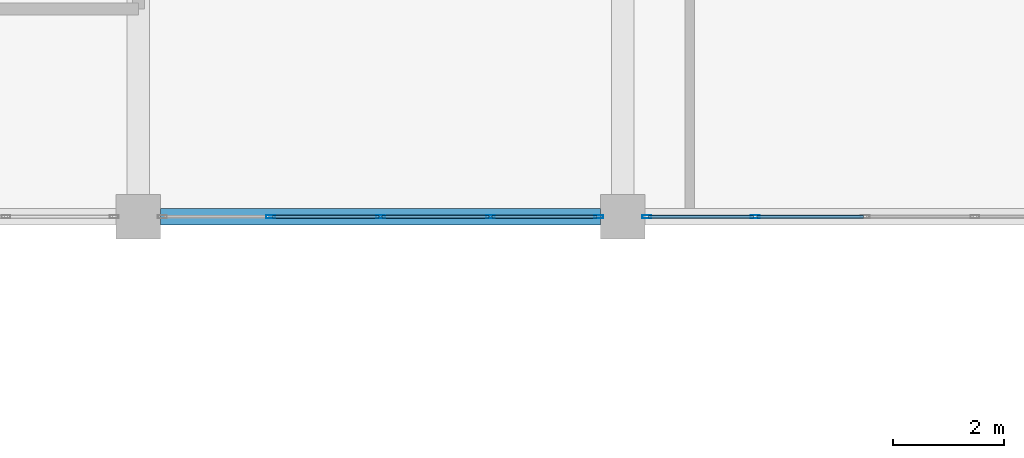
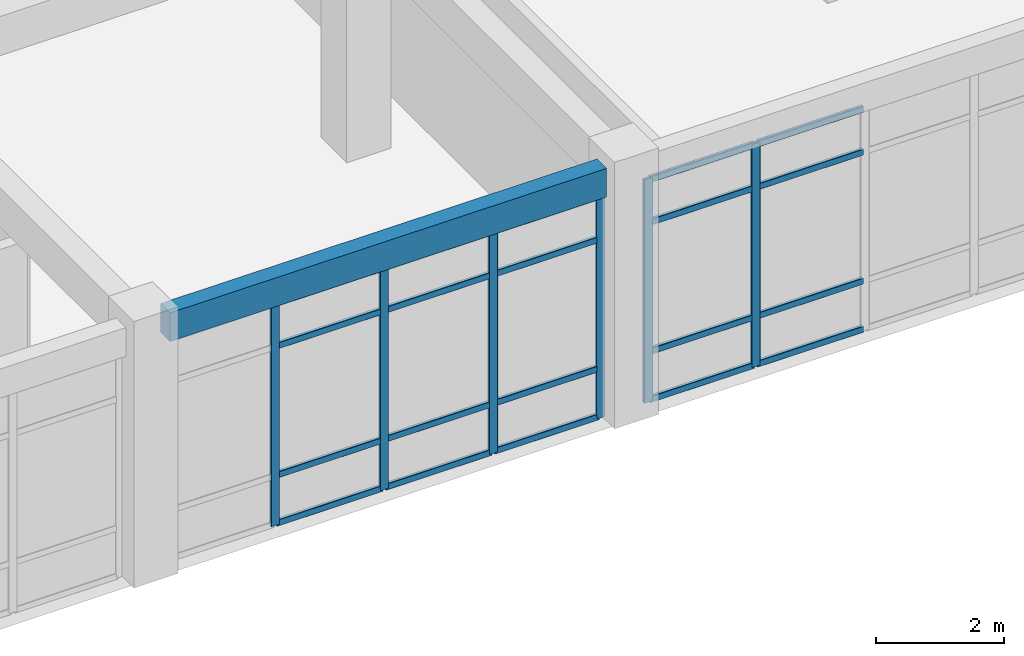
# One storey, part 53 of 96: 26 members, 1 beam, 2 elements without a shape of their own.
"""IFC4 building model written with IfcOpenShell, lengths in metres."""

from ifc_helpers import new_model, si_unit, derived_unit, direction, frame, origin, origin_2d, place, context, subcontext, project, spatial, rectangle, hollow_rectangle, extrude, material, layer, layer_set, material_profile, profile_set, type_object, element, aggregate, save


model = new_model("IFC4")

# Units and contexts
model_context = context("Model", 3, precision=1e-05, world=origin(), true_north=direction((0.0, 1.0)))
body_context = subcontext(model_context, "Body", "Model", "MODEL_VIEW")
ifc_project = project(units=[si_unit("LENGTHUNIT", "METRE"), si_unit("AREAUNIT", "SQUARE_METRE"), si_unit("VOLUMEUNIT", "CUBIC_METRE"), si_unit("PLANEANGLEUNIT", "RADIAN"), si_unit("MASSUNIT", "GRAM", prefix="KILO"), derived_unit("THERMALTRANSMITTANCEUNIT", [(si_unit("MASSUNIT", "GRAM", prefix="KILO"), 1), (si_unit("TIMEUNIT", "SECOND"), -3), (si_unit("THERMODYNAMICTEMPERATUREUNIT", "KELVIN"), -1)])], contexts=[model_context])

# Site, building, storey
site_placement = place(None, origin())
site = spatial("IfcSite", under=ifc_project, at=site_placement, CompositionType="ELEMENT")
building_placement = place(site_placement, origin())
building = spatial("IfcBuilding", under=site, at=building_placement, Name="Qinzheling Arcade Emporium", CompositionType="ELEMENT")
storey_placement = place(building_placement, frame((0.0, 0.0, 21.60009765625)))
storey = spatial("IfcBuildingStorey", under=building, at=storey_placement, Name="L05", CompositionType="ELEMENT", Elevation=21.60009765625)

# Curtain wall, members
ifc_material_1 = material(Name="Anodised aluminium and solar-control double glazing", Category="aluminium")
ifc_layer = layer(ifc_material_1, 0.159912109375, Name="Anodised aluminium and solar-control double glazing", Category="aluminium")
ifc_layer_set = layer_set([ifc_layer], Name="Anodised aluminium and solar-control double glazing")
curtain_wall_type = type_object("IfcCurtainWallType", Name="Arcade Portal Glazed Curtain Wall", PredefinedType="NOTDEFINED", material=ifc_layer_set)
curtain_wall_1_placement = place(storey_placement, origin())
curtain_wall_1 = element("IfcCurtainWall", 1, at=curtain_wall_1_placement, inside=storey, type_object=curtain_wall_type, Name="Curtain Wall CW-L05-343", PredefinedType="NOTDEFINED")
ifc_material_2 = material(Name="Anodised aluminium 6063-T6", Category="aluminium")
ifc_material_profile_1 = material_profile(ifc_material_2, hollow_rectangle(XDim=0.06005859375, YDim=0.159912109375, WallThickness=0.00390625, InnerFilletRadius=0.00390625, OuterFilletRadius=0.008056640625, at=origin_2d()), Name="RHS 160x60x4", Category="aluminium")
ifc_profile_set_1 = profile_set([ifc_material_profile_1], Name="Anodised aluminium 6063-T6")
member_type_1 = type_object("IfcMemberType", Name="Curtain Wall Mullion RHS160x60", PredefinedType="MULLION", material=ifc_profile_set_1)
member_1_placement = place(storey_placement, frame((124.176025390625, 73.800048828125, 0.0), z_axis=(0.0, 0.0, 1.0), x_axis=(0.0, -1.0, 0.0)))
member_1 = element("IfcMember", 2, at=member_1_placement, type_object=member_type_1, Name="CW05 mullion 4", PredefinedType="MULLION", context=body_context, shape_type="SweptSolid", body=[
    extrude(hollow_rectangle(XDim=0.06005859375, YDim=0.159912109375, WallThickness=0.00390625, InnerFilletRadius=0.00390625, OuterFilletRadius=0.008056640625, at=origin_2d()), origin(), (0.0, 0.0, 1.0), 4.27001953125),
])
member_2_placement = place(storey_placement, frame((122.23193359375, 73.800048828125, 0.0), z_axis=(0.0, 0.0, 1.0), x_axis=(0.0, -1.0, 0.0)))
member_2 = element("IfcMember", 3, at=member_2_placement, type_object=member_type_1, Name="CW05 mullion 5", PredefinedType="MULLION", context=body_context, shape_type="SweptSolid", body=[
    extrude(hollow_rectangle(XDim=0.06005859375, YDim=0.159912109375, WallThickness=0.00390625, InnerFilletRadius=0.00390625, OuterFilletRadius=0.008056640625, at=origin_2d()), origin(), (0.0, 0.0, 1.0), 4.27001953125),
])

curtain_wall_2_placement = place(storey_placement, origin())
curtain_wall_2 = element("IfcCurtainWall", 4, at=curtain_wall_2_placement, inside=storey, type_object=curtain_wall_type, Name="Curtain Wall CW-L05-344", PredefinedType="NOTDEFINED")
member_3_placement = place(storey_placement, frame((121.367919921875, 73.800048828125, 0.0), z_axis=(0.0, 0.0, 1.0), x_axis=(0.0, -1.0, 0.0)))
member_3 = element("IfcMember", 5, at=member_3_placement, type_object=member_type_1, Name="CW05 mullion 1", PredefinedType="MULLION", context=body_context, shape_type="SweptSolid", body=[
    extrude(hollow_rectangle(XDim=0.06005859375, YDim=0.159912109375, WallThickness=0.00390625, InnerFilletRadius=0.00390625, OuterFilletRadius=0.008056640625, at=origin_2d()), origin(), (0.0, 0.0, 1.0), 4.27001953125),
])
member_4_placement = place(storey_placement, frame((119.424072265625, 73.800048828125, 0.0), z_axis=(0.0, 0.0, 1.0), x_axis=(0.0, -1.0, 0.0)))
member_4 = element("IfcMember", 6, at=member_4_placement, type_object=member_type_1, Name="CW05 mullion 2", PredefinedType="MULLION", context=body_context, shape_type="SweptSolid", body=[
    extrude(hollow_rectangle(XDim=0.06005859375, YDim=0.159912109375, WallThickness=0.00390625, InnerFilletRadius=0.00390625, OuterFilletRadius=0.008056640625, at=origin_2d()), origin(), (0.0, 0.0, 1.0), 4.27001953125),
])
member_5_placement = place(storey_placement, frame((117.449951171875, 73.800048828125, 0.0), z_axis=(0.0, 0.0, 1.0), x_axis=(0.0, -1.0, 0.0)))
member_5 = element("IfcMember", 7, at=member_5_placement, type_object=member_type_1, Name="CW05 mullion 3", PredefinedType="MULLION", context=body_context, shape_type="SweptSolid", body=[
    extrude(hollow_rectangle(XDim=0.06005859375, YDim=0.159912109375, WallThickness=0.00390625, InnerFilletRadius=0.00390625, OuterFilletRadius=0.008056640625, at=origin_2d()), origin(), (0.0, 0.0, 1.0), 4.27001953125),
])
member_6_placement = place(storey_placement, frame((115.47607421875, 73.800048828125, 0.0), z_axis=(0.0, 0.0, 1.0), x_axis=(0.0, -1.0, 0.0)))
member_6 = element("IfcMember", 8, at=member_6_placement, type_object=member_type_1, Name="CW05 mullion 4", PredefinedType="MULLION", context=body_context, shape_type="SweptSolid", body=[
    extrude(hollow_rectangle(XDim=0.06005859375, YDim=0.159912109375, WallThickness=0.00390625, InnerFilletRadius=0.00390625, OuterFilletRadius=0.008056640625, at=origin_2d()), origin(), (0.0, 0.0, 1.0), 4.27001953125),
])

# Member
ifc_material_profile_2 = material_profile(ifc_material_2, hollow_rectangle(XDim=0.06005859375, YDim=0.1201171875, WallThickness=0.00390625, InnerFilletRadius=0.00390625, OuterFilletRadius=0.008056640625, at=origin_2d()), Name="RHS 120x60x4", Category="aluminium")
ifc_profile_set_2 = profile_set([ifc_material_profile_2], Name="Anodised aluminium 6063-T6")
member_type_2 = type_object("IfcMemberType", Name="Curtain Wall Transom RHS120x60", PredefinedType="USERDEFINED", material=ifc_profile_set_2)
member_7_placement = place(storey_placement, frame((126.1201171875, 73.800048828125, 0.02978515625), z_axis=(-1.0, 0.0, 0.0), x_axis=(0.0, -1.0, 0.0)))
member_7 = element("IfcMember", 9, at=member_7_placement, type_object=member_type_2, Name="CW05 transom 3.1", ObjectType="TRANSOM", PredefinedType="USERDEFINED", context=body_context, shape_type="SweptSolid", body=[
    extrude(hollow_rectangle(XDim=0.06005859375, YDim=0.1201171875, WallThickness=0.00390625, InnerFilletRadius=0.00390625, OuterFilletRadius=0.008056640625, at=origin_2d()), origin(), (0.0, 0.0, 1.0), 1.9140625),
])

member_8_placement = place(storey_placement, frame((126.1201171875, 73.800048828125, 0.949951171875), z_axis=(-1.0, 0.0, 0.0), x_axis=(0.0, -1.0, 0.0)))
member_8 = element("IfcMember", 10, at=member_8_placement, type_object=member_type_2, Name="CW05 transom 3.2", ObjectType="TRANSOM", PredefinedType="USERDEFINED", context=body_context, shape_type="SweptSolid", body=[
    extrude(hollow_rectangle(XDim=0.06005859375, YDim=0.1201171875, WallThickness=0.00390625, InnerFilletRadius=0.00390625, OuterFilletRadius=0.008056640625, at=origin_2d()), origin(), (0.0, 0.0, 1.0), 1.9140625),
])

member_9_placement = place(storey_placement, frame((126.1201171875, 73.800048828125, 3.419921875), z_axis=(-1.0, 0.0, 0.0), x_axis=(0.0, -1.0, 0.0)))
member_9 = element("IfcMember", 11, at=member_9_placement, type_object=member_type_2, Name="CW05 transom 3.3", ObjectType="TRANSOM", PredefinedType="USERDEFINED", context=body_context, shape_type="SweptSolid", body=[
    extrude(hollow_rectangle(XDim=0.06005859375, YDim=0.1201171875, WallThickness=0.00390625, InnerFilletRadius=0.00390625, OuterFilletRadius=0.008056640625, at=origin_2d()), origin(), (0.0, 0.0, 1.0), 1.9140625),
])

member_10_placement = place(storey_placement, frame((126.1201171875, 73.800048828125, 4.239990234375), z_axis=(-1.0, 0.0, 0.0), x_axis=(0.0, -1.0, 0.0)))
member_10 = element("IfcMember", 12, at=member_10_placement, type_object=member_type_2, Name="CW05 transom 3.4", ObjectType="TRANSOM", PredefinedType="USERDEFINED", context=body_context, shape_type="SweptSolid", body=[
    extrude(hollow_rectangle(XDim=0.06005859375, YDim=0.1201171875, WallThickness=0.00390625, InnerFilletRadius=0.00390625, OuterFilletRadius=0.008056640625, at=origin_2d()), origin(), (0.0, 0.0, 1.0), 1.9140625),
])

member_11_placement = place(storey_placement, frame((124.14599609375, 73.800048828125, 0.02978515625), z_axis=(-1.0, 0.0, 0.0), x_axis=(0.0, -1.0, 0.0)))
member_11 = element("IfcMember", 13, at=member_11_placement, type_object=member_type_2, Name="CW05 transom 4.1", ObjectType="TRANSOM", PredefinedType="USERDEFINED", context=body_context, shape_type="SweptSolid", body=[
    extrude(hollow_rectangle(XDim=0.06005859375, YDim=0.1201171875, WallThickness=0.00390625, InnerFilletRadius=0.00390625, OuterFilletRadius=0.008056640625, at=origin_2d()), origin(), (0.0, 0.0, 1.0), 1.884033203125),
])

member_12_placement = place(storey_placement, frame((124.14599609375, 73.800048828125, 0.949951171875), z_axis=(-1.0, 0.0, 0.0), x_axis=(0.0, -1.0, 0.0)))
member_12 = element("IfcMember", 14, at=member_12_placement, type_object=member_type_2, Name="CW05 transom 4.2", ObjectType="TRANSOM", PredefinedType="USERDEFINED", context=body_context, shape_type="SweptSolid", body=[
    extrude(hollow_rectangle(XDim=0.06005859375, YDim=0.1201171875, WallThickness=0.00390625, InnerFilletRadius=0.00390625, OuterFilletRadius=0.008056640625, at=origin_2d()), origin(), (0.0, 0.0, 1.0), 1.884033203125),
])

member_13_placement = place(storey_placement, frame((124.14599609375, 73.800048828125, 3.419921875), z_axis=(-1.0, 0.0, 0.0), x_axis=(0.0, -1.0, 0.0)))
member_13 = element("IfcMember", 15, at=member_13_placement, type_object=member_type_2, Name="CW05 transom 4.3", ObjectType="TRANSOM", PredefinedType="USERDEFINED", context=body_context, shape_type="SweptSolid", body=[
    extrude(hollow_rectangle(XDim=0.06005859375, YDim=0.1201171875, WallThickness=0.00390625, InnerFilletRadius=0.00390625, OuterFilletRadius=0.008056640625, at=origin_2d()), origin(), (0.0, 0.0, 1.0), 1.884033203125),
])

member_14_placement = place(storey_placement, frame((124.14599609375, 73.800048828125, 4.239990234375), z_axis=(-1.0, 0.0, 0.0), x_axis=(0.0, -1.0, 0.0)))
member_14 = element("IfcMember", 16, at=member_14_placement, type_object=member_type_2, Name="CW05 transom 4.4", ObjectType="TRANSOM", PredefinedType="USERDEFINED", context=body_context, shape_type="SweptSolid", body=[
    extrude(hollow_rectangle(XDim=0.06005859375, YDim=0.1201171875, WallThickness=0.00390625, InnerFilletRadius=0.00390625, OuterFilletRadius=0.008056640625, at=origin_2d()), origin(), (0.0, 0.0, 1.0), 1.884033203125),
])

aggregate(curtain_wall_1, [member_1, member_2, member_7, member_8, member_9, member_10, member_11, member_12, member_13, member_14])

member_15_placement = place(storey_placement, frame((121.337890625, 73.800048828125, 0.02978515625), z_axis=(-1.0, 0.0, 0.0), x_axis=(0.0, -1.0, 0.0)))
member_15 = element("IfcMember", 17, at=member_15_placement, type_object=member_type_2, Name="CW05 transom 1.1", ObjectType="TRANSOM", PredefinedType="USERDEFINED", context=body_context, shape_type="SweptSolid", body=[
    extrude(hollow_rectangle(XDim=0.06005859375, YDim=0.1201171875, WallThickness=0.00390625, InnerFilletRadius=0.00390625, OuterFilletRadius=0.008056640625, at=origin_2d()), origin(), (0.0, 0.0, 1.0), 1.8837890625),
])

member_16_placement = place(storey_placement, frame((121.337890625, 73.800048828125, 0.949951171875), z_axis=(-1.0, 0.0, 0.0), x_axis=(0.0, -1.0, 0.0)))
member_16 = element("IfcMember", 18, at=member_16_placement, type_object=member_type_2, Name="CW05 transom 1.2", ObjectType="TRANSOM", PredefinedType="USERDEFINED", context=body_context, shape_type="SweptSolid", body=[
    extrude(hollow_rectangle(XDim=0.06005859375, YDim=0.1201171875, WallThickness=0.00390625, InnerFilletRadius=0.00390625, OuterFilletRadius=0.008056640625, at=origin_2d()), origin(), (0.0, 0.0, 1.0), 1.8837890625),
])

member_17_placement = place(storey_placement, frame((121.337890625, 73.800048828125, 3.419921875), z_axis=(-1.0, 0.0, 0.0), x_axis=(0.0, -1.0, 0.0)))
member_17 = element("IfcMember", 19, at=member_17_placement, type_object=member_type_2, Name="CW05 transom 1.3", ObjectType="TRANSOM", PredefinedType="USERDEFINED", context=body_context, shape_type="SweptSolid", body=[
    extrude(hollow_rectangle(XDim=0.06005859375, YDim=0.1201171875, WallThickness=0.00390625, InnerFilletRadius=0.00390625, OuterFilletRadius=0.008056640625, at=origin_2d()), origin(), (0.0, 0.0, 1.0), 1.8837890625),
])

member_18_placement = place(storey_placement, frame((121.337890625, 73.800048828125, 4.239990234375), z_axis=(-1.0, 0.0, 0.0), x_axis=(0.0, -1.0, 0.0)))
member_18 = element("IfcMember", 20, at=member_18_placement, type_object=member_type_2, Name="CW05 transom 1.4", ObjectType="TRANSOM", PredefinedType="USERDEFINED", context=body_context, shape_type="SweptSolid", body=[
    extrude(hollow_rectangle(XDim=0.06005859375, YDim=0.1201171875, WallThickness=0.00390625, InnerFilletRadius=0.00390625, OuterFilletRadius=0.008056640625, at=origin_2d()), origin(), (0.0, 0.0, 1.0), 1.8837890625),
])

member_19_placement = place(storey_placement, frame((119.39404296875, 73.800048828125, 0.02978515625), z_axis=(-1.0, 0.0, 0.0), x_axis=(0.0, -1.0, 0.0)))
member_19 = element("IfcMember", 21, at=member_19_placement, type_object=member_type_2, Name="CW05 transom 2.1", ObjectType="TRANSOM", PredefinedType="USERDEFINED", context=body_context, shape_type="SweptSolid", body=[
    extrude(hollow_rectangle(XDim=0.06005859375, YDim=0.1201171875, WallThickness=0.00390625, InnerFilletRadius=0.00390625, OuterFilletRadius=0.008056640625, at=origin_2d()), origin(), (0.0, 0.0, 1.0), 1.9140625),
])

member_20_placement = place(storey_placement, frame((119.39404296875, 73.800048828125, 0.949951171875), z_axis=(-1.0, 0.0, 0.0), x_axis=(0.0, -1.0, 0.0)))
member_20 = element("IfcMember", 22, at=member_20_placement, type_object=member_type_2, Name="CW05 transom 2.2", ObjectType="TRANSOM", PredefinedType="USERDEFINED", context=body_context, shape_type="SweptSolid", body=[
    extrude(hollow_rectangle(XDim=0.06005859375, YDim=0.1201171875, WallThickness=0.00390625, InnerFilletRadius=0.00390625, OuterFilletRadius=0.008056640625, at=origin_2d()), origin(), (0.0, 0.0, 1.0), 1.9140625),
])

member_21_placement = place(storey_placement, frame((119.39404296875, 73.800048828125, 3.419921875), z_axis=(-1.0, 0.0, 0.0), x_axis=(0.0, -1.0, 0.0)))
member_21 = element("IfcMember", 23, at=member_21_placement, type_object=member_type_2, Name="CW05 transom 2.3", ObjectType="TRANSOM", PredefinedType="USERDEFINED", context=body_context, shape_type="SweptSolid", body=[
    extrude(hollow_rectangle(XDim=0.06005859375, YDim=0.1201171875, WallThickness=0.00390625, InnerFilletRadius=0.00390625, OuterFilletRadius=0.008056640625, at=origin_2d()), origin(), (0.0, 0.0, 1.0), 1.9140625),
])

member_22_placement = place(storey_placement, frame((119.39404296875, 73.800048828125, 4.239990234375), z_axis=(-1.0, 0.0, 0.0), x_axis=(0.0, -1.0, 0.0)))
member_22 = element("IfcMember", 24, at=member_22_placement, type_object=member_type_2, Name="CW05 transom 2.4", ObjectType="TRANSOM", PredefinedType="USERDEFINED", context=body_context, shape_type="SweptSolid", body=[
    extrude(hollow_rectangle(XDim=0.06005859375, YDim=0.1201171875, WallThickness=0.00390625, InnerFilletRadius=0.00390625, OuterFilletRadius=0.008056640625, at=origin_2d()), origin(), (0.0, 0.0, 1.0), 1.9140625),
])

member_23_placement = place(storey_placement, frame((117.419921875, 73.800048828125, 0.02978515625), z_axis=(-1.0, 0.0, 0.0), x_axis=(0.0, -1.0, 0.0)))
member_23 = element("IfcMember", 25, at=member_23_placement, type_object=member_type_2, Name="CW05 transom 3.1", ObjectType="TRANSOM", PredefinedType="USERDEFINED", context=body_context, shape_type="SweptSolid", body=[
    extrude(hollow_rectangle(XDim=0.06005859375, YDim=0.1201171875, WallThickness=0.00390625, InnerFilletRadius=0.00390625, OuterFilletRadius=0.008056640625, at=origin_2d()), origin(), (0.0, 0.0, 1.0), 1.913818359375),
])

member_24_placement = place(storey_placement, frame((117.419921875, 73.800048828125, 0.949951171875), z_axis=(-1.0, 0.0, 0.0), x_axis=(0.0, -1.0, 0.0)))
member_24 = element("IfcMember", 26, at=member_24_placement, type_object=member_type_2, Name="CW05 transom 3.2", ObjectType="TRANSOM", PredefinedType="USERDEFINED", context=body_context, shape_type="SweptSolid", body=[
    extrude(hollow_rectangle(XDim=0.06005859375, YDim=0.1201171875, WallThickness=0.00390625, InnerFilletRadius=0.00390625, OuterFilletRadius=0.008056640625, at=origin_2d()), origin(), (0.0, 0.0, 1.0), 1.913818359375),
])

member_25_placement = place(storey_placement, frame((117.419921875, 73.800048828125, 3.419921875), z_axis=(-1.0, 0.0, 0.0), x_axis=(0.0, -1.0, 0.0)))
member_25 = element("IfcMember", 27, at=member_25_placement, type_object=member_type_2, Name="CW05 transom 3.3", ObjectType="TRANSOM", PredefinedType="USERDEFINED", context=body_context, shape_type="SweptSolid", body=[
    extrude(hollow_rectangle(XDim=0.06005859375, YDim=0.1201171875, WallThickness=0.00390625, InnerFilletRadius=0.00390625, OuterFilletRadius=0.008056640625, at=origin_2d()), origin(), (0.0, 0.0, 1.0), 1.913818359375),
])

member_26_placement = place(storey_placement, frame((117.419921875, 73.800048828125, 4.239990234375), z_axis=(-1.0, 0.0, 0.0), x_axis=(0.0, -1.0, 0.0)))
member_26 = element("IfcMember", 28, at=member_26_placement, type_object=member_type_2, Name="CW05 transom 3.4", ObjectType="TRANSOM", PredefinedType="USERDEFINED", context=body_context, shape_type="SweptSolid", body=[
    extrude(hollow_rectangle(XDim=0.06005859375, YDim=0.1201171875, WallThickness=0.00390625, InnerFilletRadius=0.00390625, OuterFilletRadius=0.008056640625, at=origin_2d()), origin(), (0.0, 0.0, 1.0), 1.913818359375),
])

aggregate(curtain_wall_2, [member_3, member_4, member_5, member_6, member_15, member_16, member_17, member_18, member_19, member_20, member_21, member_22, member_23, member_24, member_25, member_26])

# Beam
ifc_material_3 = material(Name="Concrete C40", Category="concrete")
ifc_material_profile_3 = material_profile(ifc_material_3, rectangle(XDim=0.300048828125, YDim=0.550048828125, at=origin_2d()), Name="RC 300x550", Category="concrete")
ifc_profile_set_3 = profile_set([ifc_material_profile_3], Name="Concrete C40")
beam_type = type_object("IfcBeamType", Name="RC Terrace Spandrel Beam 300x550 C40", PredefinedType="SPANDREL", material=ifc_profile_set_3)
beam_placement = place(storey_placement, frame((113.5, 73.800048828125, 4.559814453125), z_axis=(1.0, 0.0, 0.0), x_axis=(0.0, 1.0, 0.0)))
element("IfcBeam", 29, at=beam_placement, inside=storey, type_object=beam_type, Name="Beam BM-L05-X-J-14", PredefinedType="SPANDREL", context=body_context, shape_type="SweptSolid", body=[
    extrude(rectangle(XDim=0.300048828125, YDim=0.550048828125, at=origin_2d()), origin(), (0.0, 0.0, 1.0), 7.89990234375),
])

save(model, "model.ifc")
